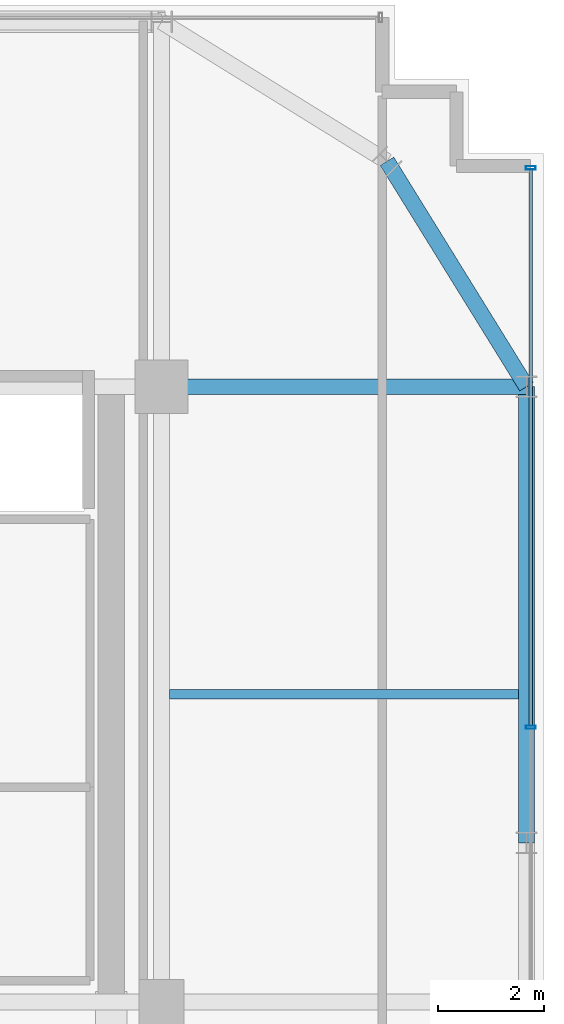
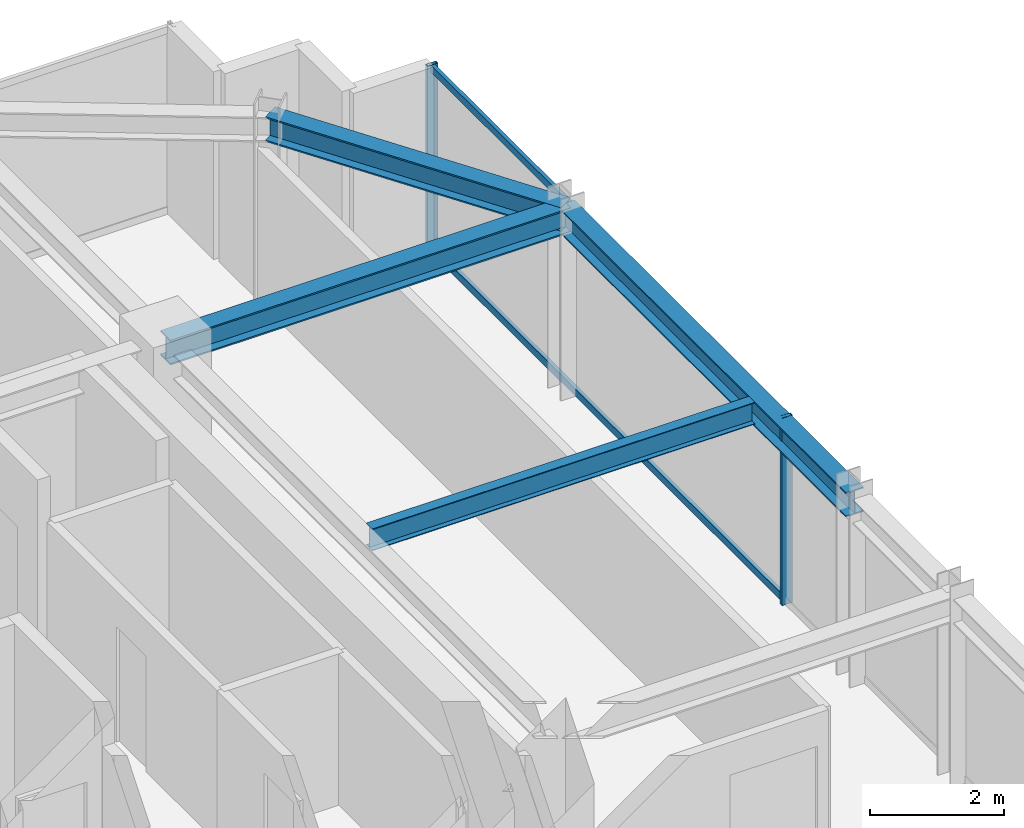
# One storey, part 26 of 36: 4 beams, 4 members, 1 element without a shape of its own.
"""IFC4 building model written with IfcOpenShell, lengths in metres."""

from ifc_helpers import new_model, si_unit, direction, frame, origin, origin_2d, place, context, subcontext, project, spatial, hollow_rectangle, i_section, extrude, source, transform, mapped, material, material_profile, profile_set, type_object, element, aggregate, save


model = new_model("IFC4")

# Units and contexts
model_context = context("Model", 3, precision=1e-05, world=origin(), true_north=direction((0.0, 1.0)))
body_context = subcontext(model_context, "Body", "Model", "MODEL_VIEW")
ifc_project = project(units=[si_unit("LENGTHUNIT", "METRE"), si_unit("AREAUNIT", "SQUARE_METRE"), si_unit("VOLUMEUNIT", "CUBIC_METRE"), si_unit("PLANEANGLEUNIT", "RADIAN"), si_unit("MASSUNIT", "GRAM", prefix="KILO")], contexts=[model_context])

# Site, building, storey
site_placement = place(None, origin())
site = spatial("IfcSite", under=ifc_project, at=site_placement, CompositionType="ELEMENT")
building_placement = place(site_placement, origin())
building = spatial("IfcBuilding", under=site, at=building_placement, Name="Nahalor Promenade Grand Hotel", CompositionType="ELEMENT")
storey_placement = place(building_placement, frame((0.0, 0.0, 212.300048828125)))
storey = spatial("IfcBuildingStorey", under=building, at=storey_placement, Name="L54", CompositionType="ELEMENT", Elevation=212.300048828125)

# Beams
ifc_material_1 = material(Name="Steel S355JR", Category="steel")
ifc_material_profile_1 = material_profile(ifc_material_1, i_section(OverallWidth=0.3, OverallDepth=0.45, WebThickness=0.014, FlangeThickness=0.026, at=origin_2d()), Name="HEB 450")
ifc_profile_set_1 = profile_set([ifc_material_profile_1], Name="Steel S355JR")
beam_type_1 = type_object("IfcBeamType", Name="Beam-Spandrel-HEB450", PredefinedType="SPANDREL", material=ifc_profile_set_1)
shared_shape_1 = source(origin(), body_context, "Body", "SweptSolid", [
    extrude(i_section(OverallWidth=0.3, OverallDepth=0.45, WebThickness=0.014, FlangeThickness=0.026, at=origin_2d()), origin(), (0.0, 0.0, 1.0), 8.60009765625),
])
beam_1_placement = place(storey_placement, frame((23.8798828125, 8.39990234375, 3.18505859375), z_axis=(0.0, 1.0, 0.0), x_axis=(-1.0, 0.0, 0.0)))
element("IfcBeam", 1, at=beam_1_placement, inside=storey, type_object=beam_type_1, Name="BM-L54-SP-E-4", PredefinedType="SPANDREL", context=body_context, shape_type="MappedRepresentation", body=[
    mapped(shared_shape_1, transform((0.0, 0.0, 0.0), scale=1.0)),
])
shared_shape_2 = source(origin(), body_context, "Body", "SweptSolid", [
    extrude(i_section(OverallWidth=0.3, OverallDepth=0.45, WebThickness=0.014, FlangeThickness=0.026, at=origin_2d()), origin(), (0.0, 0.0, 1.0), 4.997802734375),
])
beam_2_placement = place(storey_placement, frame((21.25, 21.25, 3.18505859375), z_axis=(0.526199891161, -0.850360908404, 0.0), x_axis=(0.850360908404, 0.526199891161, 0.0)))
element("IfcBeam", 2, at=beam_2_placement, inside=storey, type_object=beam_type_1, Name="BM-L54-SPC-NE-2", PredefinedType="SPANDREL", context=body_context, shape_type="MappedRepresentation", body=[
    mapped(shared_shape_2, transform((0.0, 0.0, 0.0), scale=1.0)),
])
ifc_material_profile_2 = material_profile(ifc_material_1, i_section(OverallWidth=0.3, OverallDepth=0.45, WebThickness=0.014, FlangeThickness=0.026, at=origin_2d()), Name="HEB 450")
ifc_profile_set_2 = profile_set([ifc_material_profile_2], Name="Steel S355JR")
beam_type_2 = type_object("IfcBeamType", Name="Beam-Girder-HEB450", PredefinedType="BEAM", material=ifc_profile_set_2)
shared_shape_3 = source(origin(), body_context, "Body", "SweptSolid", [
    extrude(i_section(OverallWidth=0.3, OverallDepth=0.45, WebThickness=0.014, FlangeThickness=0.026, at=origin_2d()), origin(), (0.0, 0.0, 1.0), 6.8798828125),
])
beam_3_placement = place(storey_placement, frame((17.0, 17.0, 3.18505859375), z_axis=(1.0, 0.0, 0.0), x_axis=(0.0, 1.0, 0.0)))
element("IfcBeam", 3, at=beam_3_placement, inside=storey, type_object=beam_type_2, Name="BM-L54-GX-3-6", PredefinedType="BEAM", context=body_context, shape_type="MappedRepresentation", body=[
    mapped(shared_shape_3, transform((0.0, 0.0, 0.0), scale=1.0)),
])
ifc_material_profile_3 = material_profile(ifc_material_1, i_section(OverallWidth=0.18, OverallDepth=0.4, WebThickness=0.0086, FlangeThickness=0.0135, at=origin_2d()), Name="IPE 400")
ifc_profile_set_3 = profile_set([ifc_material_profile_3], Name="Steel S355JR")
beam_type_3 = type_object("IfcBeamType", Name="Beam-Joist-IPE400", PredefinedType="JOIST", material=ifc_profile_set_3)
shared_shape_4 = source(origin(), body_context, "Body", "SweptSolid", [
    extrude(i_section(OverallWidth=0.18, OverallDepth=0.4, WebThickness=0.0086, FlangeThickness=0.0135, at=origin_2d()), origin(), (0.0, 0.0, 1.0), 6.580078125),
])
beam_4_placement = place(storey_placement, frame((17.14990234375, 11.199951171875, 3.2099609375), z_axis=(1.0, 0.0, 0.0), x_axis=(0.0, 1.0, 0.0)))
element("IfcBeam", 4, at=beam_4_placement, inside=storey, type_object=beam_type_3, Name="BM-L54-JSE-1-2", PredefinedType="JOIST", context=body_context, shape_type="MappedRepresentation", body=[
    mapped(shared_shape_4, transform((0.0, 0.0, 0.0), scale=1.0)),
])

# Curtain wall, members
ifc_material_2 = material(Name="Anodised Bronze Aluminium EN AW-6063 T6", Category="aluminium")
curtain_wall_type = type_object("IfcCurtainWallType", Name="CW2 Typical Hotel Flush Bronze Unitised Curtain Wall", PredefinedType="USERDEFINED", material=ifc_material_2)
curtain_wall_placement = place(storey_placement, origin())
curtain_wall = element("IfcCurtainWall", 5, at=curtain_wall_placement, inside=storey, type_object=curtain_wall_type, Name="L54 Curtain Wall CW-L54-E-1", ObjectType="UNITISED_CURTAIN_WALL", PredefinedType="USERDEFINED")
ifc_material_profile_4 = material_profile(ifc_material_2, hollow_rectangle(XDim=0.065, YDim=0.13, WallThickness=0.004, at=origin_2d()), Name="CWT 65x130x4")
ifc_profile_set_4 = profile_set([ifc_material_profile_4], Name="Anodised Bronze Aluminium EN AW-6063 T6")
member_type_1 = type_object("IfcMemberType", Name="CWT2 Typical Bronze Transom 65x130", PredefinedType="USERDEFINED", material=ifc_profile_set_4)
shared_shape_5 = source(origin(), body_context, "Body", "SweptSolid", [
    extrude(hollow_rectangle(XDim=0.065, YDim=0.13, WallThickness=0.004, at=origin_2d()), origin(), (0.0, 0.0, 1.0), 10.482421875),
])
member_1_placement = place(storey_placement, frame((23.9599609375, 10.612548828125, 0.06494140625), z_axis=(0.0, 1.0, 0.0), x_axis=(-1.0, 0.0, 0.0)))
member_1 = element("IfcMember", 6, at=member_1_placement, type_object=member_type_1, Name="CW-L54-E-1 Transom 3-0", ObjectType="TRANSOM", PredefinedType="USERDEFINED", context=body_context, shape_type="MappedRepresentation", body=[
    mapped(shared_shape_5, transform((0.0, 0.0, 0.0), scale=1.0)),
])
member_2_placement = place(storey_placement, frame((23.9599609375, 10.612548828125, 3.344970703125), z_axis=(0.0, 1.0, 0.0), x_axis=(-1.0, 0.0, 0.0)))
member_2 = element("IfcMember", 7, at=member_2_placement, type_object=member_type_1, Name="CW-L54-E-1 Transom 3-1", ObjectType="TRANSOM", PredefinedType="USERDEFINED", context=body_context, shape_type="MappedRepresentation", body=[
    mapped(shared_shape_5, transform((0.0, 0.0, 0.0), scale=1.0)),
])
ifc_material_profile_5 = material_profile(ifc_material_2, hollow_rectangle(XDim=0.065, YDim=0.18, WallThickness=0.004, at=origin_2d()), Name="CWM 65x180x4")
ifc_profile_set_5 = profile_set([ifc_material_profile_5], Name="Anodised Bronze Aluminium EN AW-6063 T6")
member_type_2 = type_object("IfcMemberType", Name="CWM2 Typical Bronze Mullion 65x180", PredefinedType="MULLION", material=ifc_profile_set_5)
shared_shape_6 = source(origin(), body_context, "Body", "SweptSolid", [
    extrude(hollow_rectangle(XDim=0.065, YDim=0.18, WallThickness=0.004, at=origin_2d()), origin(), (0.0, 0.0, 1.0), 3.409912109375),
])
member_3_placement = place(storey_placement, frame((23.9599609375, 10.580078125, 0.0), z_axis=(0.0, 0.0, 1.0), x_axis=(0.0, 1.0, 0.0)))
member_3 = element("IfcMember", 8, at=member_3_placement, type_object=member_type_2, Name="CW-L54-E-1 Mullion 3", PredefinedType="MULLION", context=body_context, shape_type="MappedRepresentation", body=[
    mapped(shared_shape_6, transform((0.0, 0.0, 0.0), scale=1.0)),
])
member_4_placement = place(storey_placement, frame((23.9599609375, 21.12744140625, 0.0), z_axis=(0.0, 0.0, 1.0), x_axis=(0.0, 1.0, 0.0)))
member_4 = element("IfcMember", 9, at=member_4_placement, type_object=member_type_2, Name="CW-L54-E-1 Mullion 4", PredefinedType="MULLION", context=body_context, shape_type="MappedRepresentation", body=[
    mapped(shared_shape_6, transform((0.0, 0.0, 0.0), scale=1.0)),
])
aggregate(curtain_wall, [member_3, member_4, member_1, member_2])

save(model, "model.ifc")
